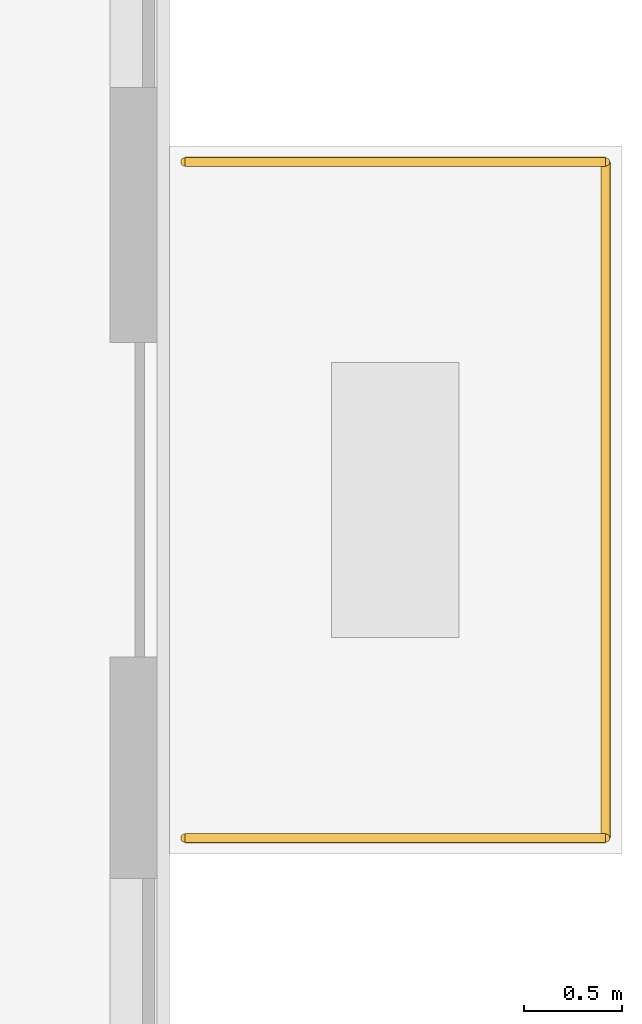
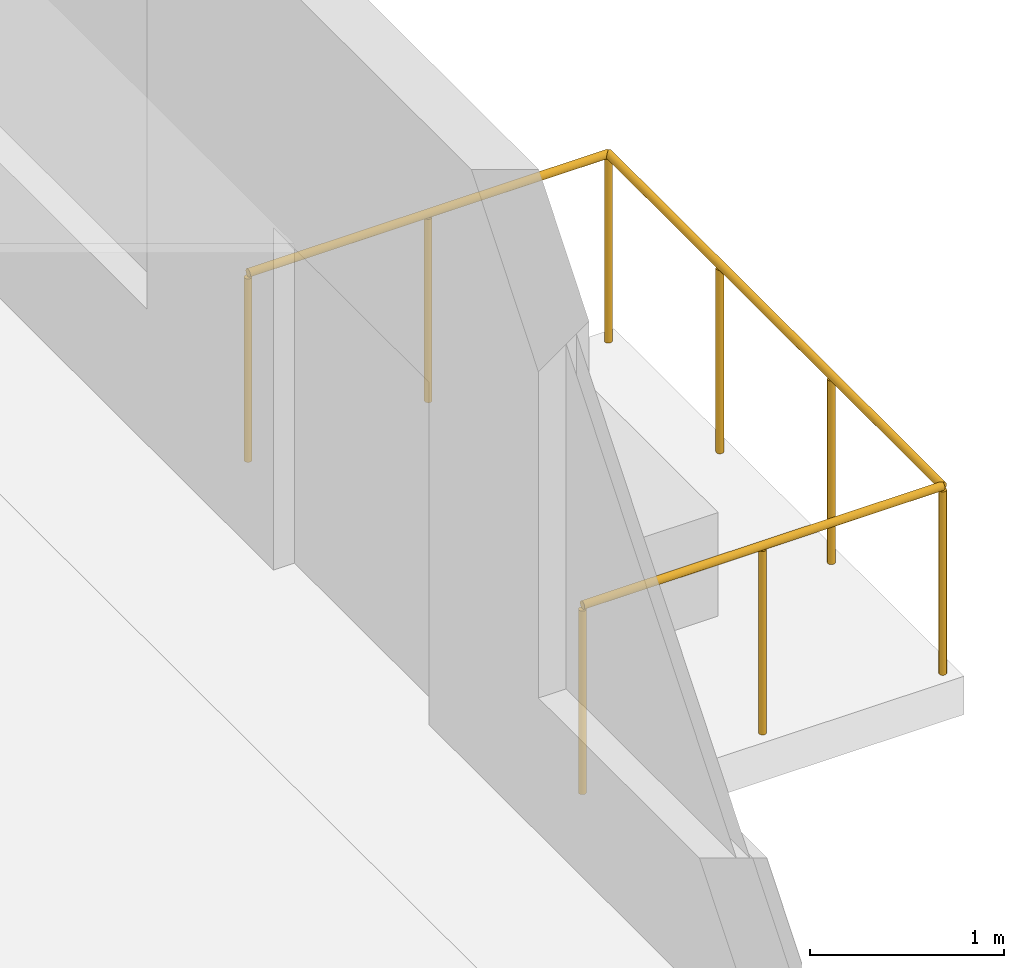
# One storey, part 11 of 11: 3 railings.
"""IFC4 building model written with IfcOpenShell, lengths in metres."""

from ifc_helpers import new_model, si_unit, direction, frame, origin, origin_2d, place, context, subcontext, project, spatial, circle, extrude, material, type_object, element, save


model = new_model("IFC4")

# Units and contexts
model_context = context("Model", 3, precision=1e-05, world=origin(), true_north=direction((0.0, 1.0)))
body_context = subcontext(model_context, "Body", "Model", "MODEL_VIEW")
ifc_project = project(units=[si_unit("LENGTHUNIT", "METRE"), si_unit("AREAUNIT", "SQUARE_METRE"), si_unit("VOLUMEUNIT", "CUBIC_METRE"), si_unit("PLANEANGLEUNIT", "RADIAN"), si_unit("MASSUNIT", "GRAM", prefix="KILO")], contexts=[model_context])

# Site, building, storey
site_placement = place(None, origin())
site = spatial("IfcSite", under=ifc_project, at=site_placement, CompositionType="ELEMENT")
building_placement = place(site_placement, origin())
building = spatial("IfcBuilding", under=site, at=building_placement, Name="Calvemar Wedge Station Tower", CompositionType="ELEMENT")
storey_placement = place(building_placement, frame((0.0, 0.0, 83.0)))
storey = spatial("IfcBuildingStorey", under=building, at=storey_placement, Name="L20", CompositionType="ELEMENT", Elevation=83.0)

# Railings
ifc_material = material(Name="Stainless steel AISI 316L", Category="steel")
railing_type = type_object("IfcRailingType", Name="GRD-TERR-1200", PredefinedType="GUARDRAIL", material=ifc_material)
railing_1_placement = place(storey_placement, frame((56.280029296875, 41.097900390625, 0.0)))
element("IfcRailing", 1, at=railing_1_placement, inside=storey, type_object=railing_type, Name="Storey L20 Spiral Terrace Guard 2", PredefinedType="GUARDRAIL", context=body_context, shape_type="SweptSolid", body=[
    extrude(circle(Radius=0.02392578125, at=origin_2d()), frame((0.0, 0.0, 1.17578125), z_axis=(1.0, 0.0, 0.0), x_axis=(0.0, 1.0, 0.0)), (0.0, 0.0, 1.0), 2.139892578125),
    extrude(circle(Radius=0.02099609375, at=origin_2d()), origin(), (0.0, 0.0, 1.0), 1.15185546875),
    extrude(circle(Radius=0.02099609375, at=origin_2d()), frame((1.06982421875, 0.0, 0.0)), (0.0, 0.0, 1.0), 1.15185546875),
    extrude(circle(Radius=0.02099609375, at=origin_2d()), frame((2.139892578125, 0.0, 0.0)), (0.0, 0.0, 1.0), 1.15185546875),
])
railing_2_placement = place(storey_placement, frame((58.419921875, 41.097900390625, 0.0)))
element("IfcRailing", 2, at=railing_2_placement, inside=storey, type_object=railing_type, Name="Storey L20 Spiral Terrace Guard 3", PredefinedType="GUARDRAIL", context=body_context, shape_type="SweptSolid", body=[
    extrude(circle(Radius=0.02392578125, at=origin_2d()), frame((0.0, 0.0, 1.17578125), z_axis=(0.0, -1.0, 0.0), x_axis=(1.0, 0.0, 0.0)), (0.0, 0.0, 1.0), 3.43994140625),
    extrude(circle(Radius=0.02099609375, at=origin_2d()), origin(), (0.0, 0.0, 1.0), 1.15185546875),
    extrude(circle(Radius=0.02099609375, at=origin_2d()), frame((0.0, -1.146728515625, 0.0)), (0.0, 0.0, 1.0), 1.15185546875),
    extrude(circle(Radius=0.02099609375, at=origin_2d()), frame((0.0, -2.293212890625, 0.0)), (0.0, 0.0, 1.0), 1.15185546875),
    extrude(circle(Radius=0.02099609375, at=origin_2d()), frame((0.0, -3.43994140625, 0.0)), (0.0, 0.0, 1.0), 1.15185546875),
])
railing_3_placement = place(storey_placement, frame((58.419921875, 37.657958984375, 0.0)))
element("IfcRailing", 3, at=railing_3_placement, inside=storey, type_object=railing_type, Name="Storey L20 Spiral Terrace Guard 4", PredefinedType="GUARDRAIL", context=body_context, shape_type="SweptSolid", body=[
    extrude(circle(Radius=0.02392578125, at=origin_2d()), frame((0.0, 0.0, 1.17578125), z_axis=(-1.0, 0.0, 0.0), x_axis=(0.0, -1.0, 0.0)), (0.0, 0.0, 1.0), 2.139892578125),
    extrude(circle(Radius=0.02099609375, at=origin_2d()), origin(), (0.0, 0.0, 1.0), 1.15185546875),
    extrude(circle(Radius=0.02099609375, at=origin_2d()), frame((-1.06982421875, 0.0, 0.0)), (0.0, 0.0, 1.0), 1.15185546875),
    extrude(circle(Radius=0.02099609375, at=origin_2d()), frame((-2.139892578125, 0.0, 0.0)), (0.0, 0.0, 1.0), 1.15185546875),
])

save(model, "model.ifc")
